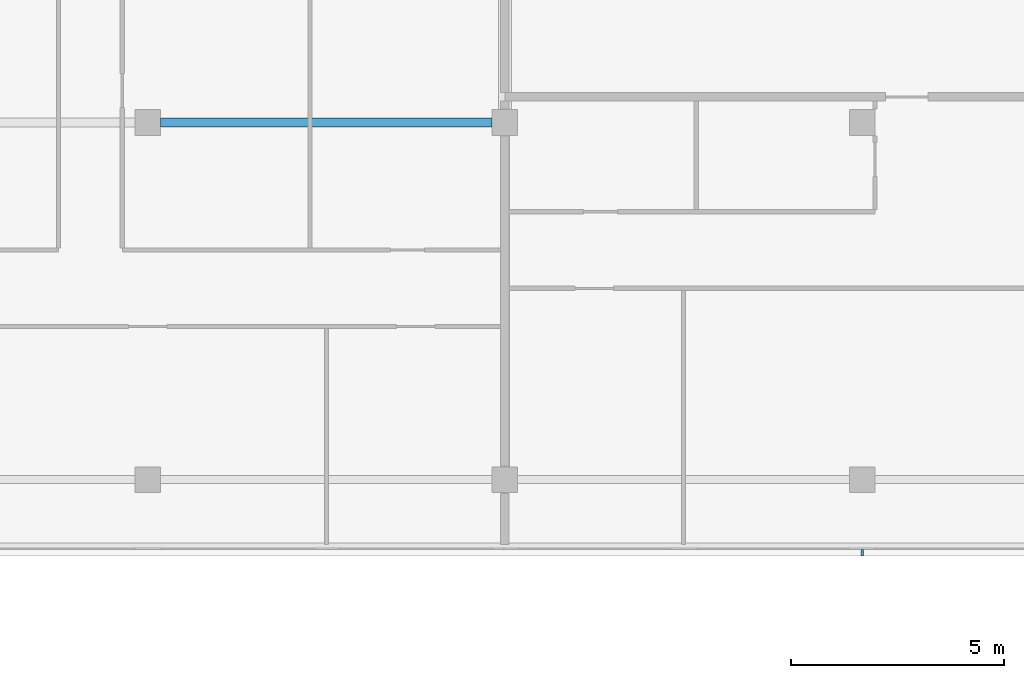
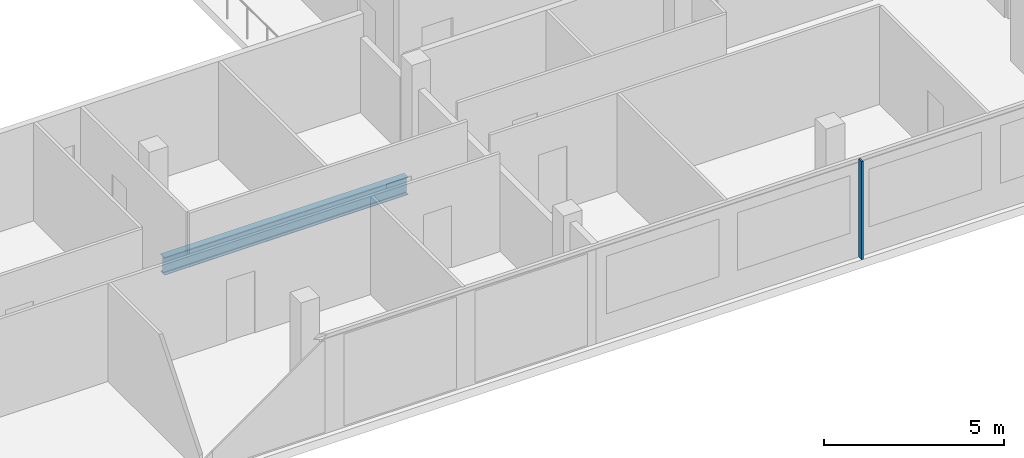
# One storey, part 8 of 30: 1 beam, 1 member, 1 element without a shape of its own.
"""IFC4 building model written with IfcOpenShell, lengths in metres."""

from ifc_helpers import new_model, si_unit, direction, frame, origin, origin_2d, place, context, subcontext, project, spatial, rectangle, i_section, extrude, material, material_profile, profile_set, type_object, element, aggregate, save


model = new_model("IFC4")

# Units and contexts
model_context = context("Model", 3, precision=1e-05, world=origin(), true_north=direction((0.0, 1.0)))
body_context = subcontext(model_context, "Body", "Model", "MODEL_VIEW")
ifc_project = project(units=[si_unit("LENGTHUNIT", "METRE"), si_unit("AREAUNIT", "SQUARE_METRE"), si_unit("VOLUMEUNIT", "CUBIC_METRE"), si_unit("PLANEANGLEUNIT", "RADIAN"), si_unit("MASSUNIT", "GRAM", prefix="KILO")], contexts=[model_context])

# Site, building, storey
site_placement = place(None, origin())
site = spatial("IfcSite", under=ifc_project, at=site_placement, CompositionType="ELEMENT")
building_placement = place(site_placement, origin())
building = spatial("IfcBuilding", under=site, at=building_placement, Name="Saffron Gate Tower", CompositionType="ELEMENT")
storey_placement = place(building_placement, frame((0.0, 0.0, 237.89990234375)))
storey = spatial("IfcBuildingStorey", under=building, at=storey_placement, Name="L58", CompositionType="ELEMENT", Elevation=237.89990234375)

# Beam
ifc_material_1 = material(Name="Structural steel S355", Category="steel")
ifc_material_profile_1 = material_profile(ifc_material_1, i_section(OverallWidth=0.219970703125, OverallDepth=0.60009765625, WebThickness=0.011962890625, FlangeThickness=0.01904296875, FilletRadius=0.02392578125, at=origin_2d()))
ifc_profile_set_1 = profile_set([ifc_material_profile_1], Name="Structural steel S355")
beam_type = type_object("IfcBeamType", Name="B15 IPE 600", PredefinedType="BEAM", material=ifc_profile_set_1)
beam_placement = place(storey_placement, frame((92.10009765625, 40.199951171875, -0.579833984375), z_axis=(1.0, 0.0, 0.0), x_axis=(0.0, 1.0, 0.0)))
element("IfcBeam", 1, at=beam_placement, inside=storey, type_object=beam_type, Name="B15 FLOOR GIRDER", PredefinedType="BEAM", context=body_context, shape_type="SweptSolid", body=[
    extrude(i_section(OverallWidth=0.219970703125, OverallDepth=0.60009765625, WebThickness=0.011962890625, FlangeThickness=0.01904296875, FilletRadius=0.02392578125, at=origin_2d()), origin(), (0.0, 0.0, 1.0), 7.7998046875),
])

# Curtain wall, member
ifc_material_2 = material(Name="Aluminium, bronze anodised", Category="aluminium")
curtain_wall_type = type_object("IfcCurtainWallType", Name="CWS1 curtain wall front facade", PredefinedType="NOTDEFINED", material=ifc_material_2)
curtain_wall_placement = place(storey_placement, origin())
curtain_wall = element("IfcCurtainWall", 2, at=curtain_wall_placement, inside=storey, type_object=curtain_wall_type, Name="CWS1 run 1", PredefinedType="NOTDEFINED")
ifc_material_profile_2 = material_profile(ifc_material_2, rectangle(XDim=0.159912109375, YDim=0.06005859375, at=origin_2d()))
ifc_profile_set_2 = profile_set([ifc_material_profile_2], Name="Aluminium, bronze anodised")
member_type = type_object("IfcMemberType", Name="CWS1 mullion 60x160", PredefinedType="MULLION", material=ifc_profile_set_2)
member_placement = place(storey_placement, frame((108.60009765625, 30.080078125, 0.0), z_axis=(0.0, 0.0, 1.0), x_axis=(0.0, 1.0, 0.0)))
member = element("IfcMember", 3, at=member_placement, type_object=member_type, Name="CWS1 mullion 8", PredefinedType="MULLION", context=body_context, shape_type="SweptSolid", body=[
    extrude(rectangle(XDim=0.159912109375, YDim=0.06005859375, at=origin_2d()), origin(), (0.0, 0.0, 1.0), 3.320068359375),
])
aggregate(curtain_wall, [member])

save(model, "model.ifc")
